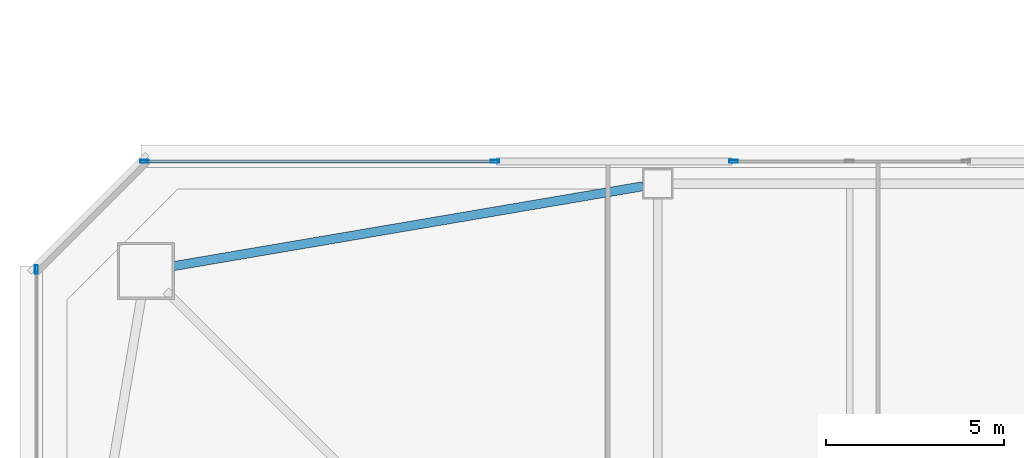
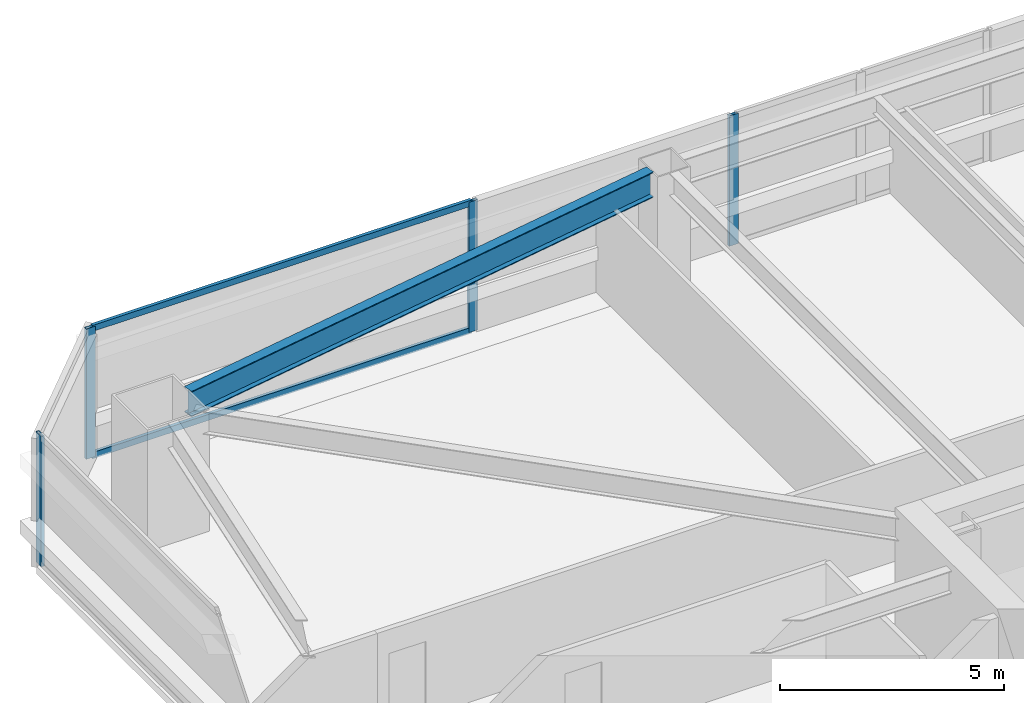
# One storey, part 12 of 45: 6 members, 1 beam, 3 elements without a shape of their own.
"""IFC4 building model written with IfcOpenShell, lengths in metres."""

from ifc_helpers import new_model, si_unit, direction, frame, origin, origin_2d, place, context, subcontext, project, spatial, hollow_rectangle, i_section, extrude, material, material_profile, profile_set, type_object, element, aggregate, save


model = new_model("IFC4")

# Units and contexts
model_context = context("Model", 3, precision=1e-05, world=origin(), true_north=direction((0.0, 1.0)))
body_context = subcontext(model_context, "Body", "Model", "MODEL_VIEW")
ifc_project = project(units=[si_unit("LENGTHUNIT", "METRE"), si_unit("AREAUNIT", "SQUARE_METRE"), si_unit("VOLUMEUNIT", "CUBIC_METRE"), si_unit("PLANEANGLEUNIT", "RADIAN"), si_unit("MASSUNIT", "GRAM", prefix="KILO")], contexts=[model_context])

# Site, building, storey
site_placement = place(None, origin())
site = spatial("IfcSite", under=ifc_project, at=site_placement, CompositionType="ELEMENT")
building_placement = place(site_placement, origin())
building = spatial("IfcBuilding", under=site, at=building_placement, Name="Tashvorn Skyway Center", CompositionType="ELEMENT")
storey_placement = place(building_placement, frame((0.0, 0.0, 35.25)))
storey = spatial("IfcBuildingStorey", under=building, at=storey_placement, Name="L08", CompositionType="ELEMENT", Elevation=35.25)

# Beam
ifc_material_1 = material(Name="Steel ASTM A992 Grade 50", Category="steel")
ifc_material_profile_1 = material_profile(ifc_material_1, i_section(OverallWidth=0.256103515625, OverallDepth=0.693115234375, WebThickness=0.014404296875, FlangeThickness=0.023681640625, at=origin_2d()), Name="W27X114")
ifc_profile_set_1 = profile_set([ifc_material_profile_1], Name="Steel ASTM A992 Grade 50")
beam_type = type_object("IfcBeamType", Name="BM-SPANDREL-W27X114", PredefinedType="SPANDREL", material=ifc_profile_set_1)
beam_placement = place(storey_placement, frame((36.18603515625, 54.179443359375, 3.00341796875), z_axis=(-0.985835025551, -0.16771792509, 0.0), x_axis=(0.16771792509, -0.985835025551, 0.0)))
element("IfcBeam", 1, at=beam_placement, inside=storey, type_object=beam_type, Name="Tower 1 L08 Spandrel Beam 09", PredefinedType="SPANDREL", context=body_context, shape_type="SweptSolid", body=[
    extrude(i_section(OverallWidth=0.256103515625, OverallDepth=0.693115234375, WebThickness=0.014404296875, FlangeThickness=0.023681640625, at=origin_2d()), origin(), (0.0, 0.0, 1.0), 13.39208984375),
])

# Curtain wall, member
ifc_material_2 = material(Name="Thermally broken bronze-anodized aluminium 6063-T6", Category="aluminium")
curtain_wall_type = type_object("IfcCurtainWallType", Name="CW-CW-Z1", PredefinedType="NOTDEFINED", material=ifc_material_2)
curtain_wall_1_placement = place(storey_placement, origin())
curtain_wall_1 = element("IfcCurtainWall", 2, at=curtain_wall_1_placement, inside=storey, type_object=curtain_wall_type, Name="Tower 1 L08 West Unitised Curtain Wall Glazing Group 3", PredefinedType="NOTDEFINED")
ifc_material_profile_2 = material_profile(ifc_material_2, hollow_rectangle(XDim=0.0849609375, YDim=0.239990234375, WallThickness=0.0048828125, at=origin_2d()), Name="ALU-MULL-85x240")
ifc_profile_set_2 = profile_set([ifc_material_profile_2], Name="Thermally broken bronze-anodized aluminium 6063-T6")
member_type_1 = type_object("IfcMemberType", Name="CWM-CW-Z1", PredefinedType="MULLION", material=ifc_profile_set_2)
member_1_placement = place(storey_placement, frame((19.1201171875, 51.83740234375, 0.0), z_axis=(0.0, 0.0, 1.0), x_axis=(-1.0, 0.0, 0.0)))
member_1 = element("IfcMember", 3, at=member_1_placement, type_object=member_type_1, Name="CW-Z1 mullion 2", PredefinedType="MULLION", context=body_context, shape_type="SweptSolid", body=[
    extrude(hollow_rectangle(XDim=0.0849609375, YDim=0.239990234375, WallThickness=0.0048828125, at=origin_2d()), origin(), (0.0, 0.0, 1.0), 3.550048828125),
])
aggregate(curtain_wall_1, [member_1])

# Curtain wall, members
curtain_wall_2_placement = place(storey_placement, origin())
curtain_wall_2 = element("IfcCurtainWall", 4, at=curtain_wall_2_placement, inside=storey, type_object=curtain_wall_type, Name="Tower 1 L08 North Unitised Curtain Wall Glazing Group 1", PredefinedType="NOTDEFINED")
member_2_placement = place(storey_placement, frame((22.16259765625, 54.8798828125, 0.0), z_axis=(0.0, 0.0, 1.0), x_axis=(0.0, 1.0, 0.0)))
member_2 = element("IfcMember", 5, at=member_2_placement, type_object=member_type_1, Name="CW-Z1 mullion 1", PredefinedType="MULLION", context=body_context, shape_type="SweptSolid", body=[
    extrude(hollow_rectangle(XDim=0.0849609375, YDim=0.239990234375, WallThickness=0.0048828125, at=origin_2d()), origin(), (0.0, 0.0, 1.0), 3.550048828125),
])
member_3_placement = place(storey_placement, frame((32.017578125, 54.8798828125, 0.0), z_axis=(0.0, 0.0, 1.0), x_axis=(0.0, 1.0, 0.0)))
member_3 = element("IfcMember", 6, at=member_3_placement, type_object=member_type_1, Name="CW-Z1 mullion 2", PredefinedType="MULLION", context=body_context, shape_type="SweptSolid", body=[
    extrude(hollow_rectangle(XDim=0.0849609375, YDim=0.239990234375, WallThickness=0.0048828125, at=origin_2d()), origin(), (0.0, 0.0, 1.0), 3.550048828125),
])

# Curtain wall, member
curtain_wall_3_placement = place(storey_placement, origin())
curtain_wall_3 = element("IfcCurtainWall", 7, at=curtain_wall_3_placement, inside=storey, type_object=curtain_wall_type, Name="Tower 1 L08 North Unitised Curtain Wall Glazing Group 2", PredefinedType="NOTDEFINED")
member_4_placement = place(storey_placement, frame((38.729248046875, 54.8798828125, 0.0), z_axis=(0.0, 0.0, 1.0), x_axis=(0.0, 1.0, 0.0)))
member_4 = element("IfcMember", 8, at=member_4_placement, type_object=member_type_1, Name="CW-Z1 mullion 1", PredefinedType="MULLION", context=body_context, shape_type="SweptSolid", body=[
    extrude(hollow_rectangle(XDim=0.0849609375, YDim=0.239990234375, WallThickness=0.0048828125, at=origin_2d()), origin(), (0.0, 0.0, 1.0), 3.550048828125),
])
aggregate(curtain_wall_3, [member_4])

# Member
ifc_material_profile_3 = material_profile(ifc_material_2, hollow_rectangle(XDim=0.0849609375, YDim=0.1650390625, WallThickness=0.0048828125, at=origin_2d()), Name="ALU-TRAN-85x165")
ifc_profile_set_3 = profile_set([ifc_material_profile_3], Name="Thermally broken bronze-anodized aluminium 6063-T6")
member_type_2 = type_object("IfcMemberType", Name="CWT-CW-Z1", PredefinedType="USERDEFINED", material=ifc_profile_set_3)
member_5_placement = place(storey_placement, frame((22.205078125, 54.8798828125, 0.04248046875), z_axis=(1.0, 0.0, 0.0), x_axis=(0.0, 1.0, 0.0)))
member_5 = element("IfcMember", 9, at=member_5_placement, type_object=member_type_2, Name="CW-Z1 transom 1.1", ObjectType="TRANSOM", PredefinedType="USERDEFINED", context=body_context, shape_type="SweptSolid", body=[
    extrude(hollow_rectangle(XDim=0.0849609375, YDim=0.1650390625, WallThickness=0.0048828125, at=origin_2d()), origin(), (0.0, 0.0, 1.0), 9.77001953125),
])

member_6_placement = place(storey_placement, frame((22.205078125, 54.8798828125, 3.507568359375), z_axis=(1.0, 0.0, 0.0), x_axis=(0.0, 1.0, 0.0)))
member_6 = element("IfcMember", 10, at=member_6_placement, type_object=member_type_2, Name="CW-Z1 transom 1.2", ObjectType="TRANSOM", PredefinedType="USERDEFINED", context=body_context, shape_type="SweptSolid", body=[
    extrude(hollow_rectangle(XDim=0.0849609375, YDim=0.1650390625, WallThickness=0.0048828125, at=origin_2d()), origin(), (0.0, 0.0, 1.0), 9.77001953125),
])

aggregate(curtain_wall_2, [member_2, member_3, member_5, member_6])

save(model, "model.ifc")
